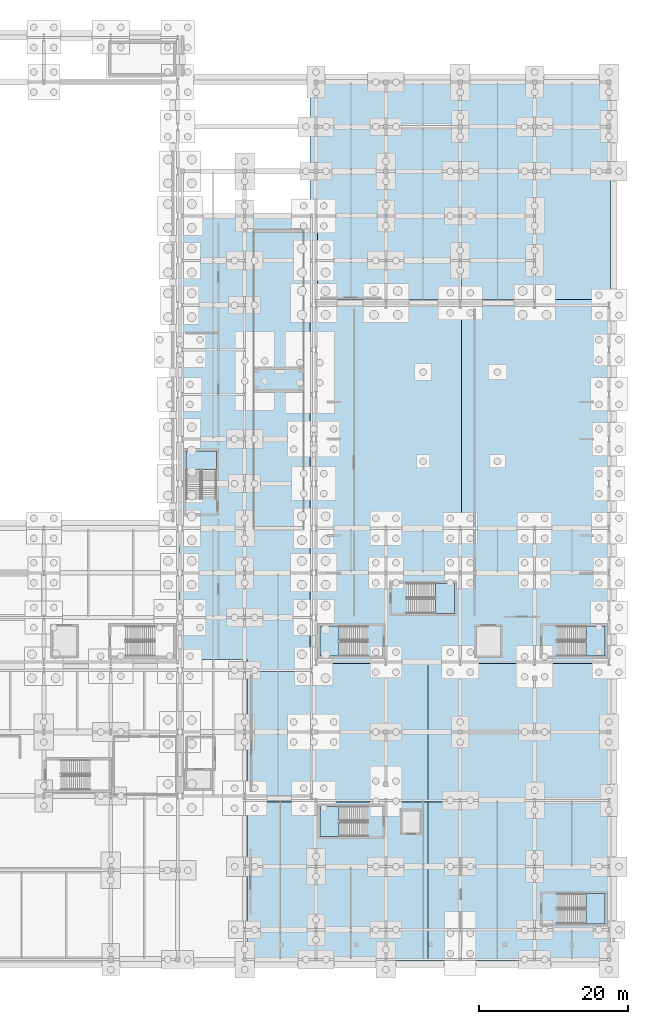
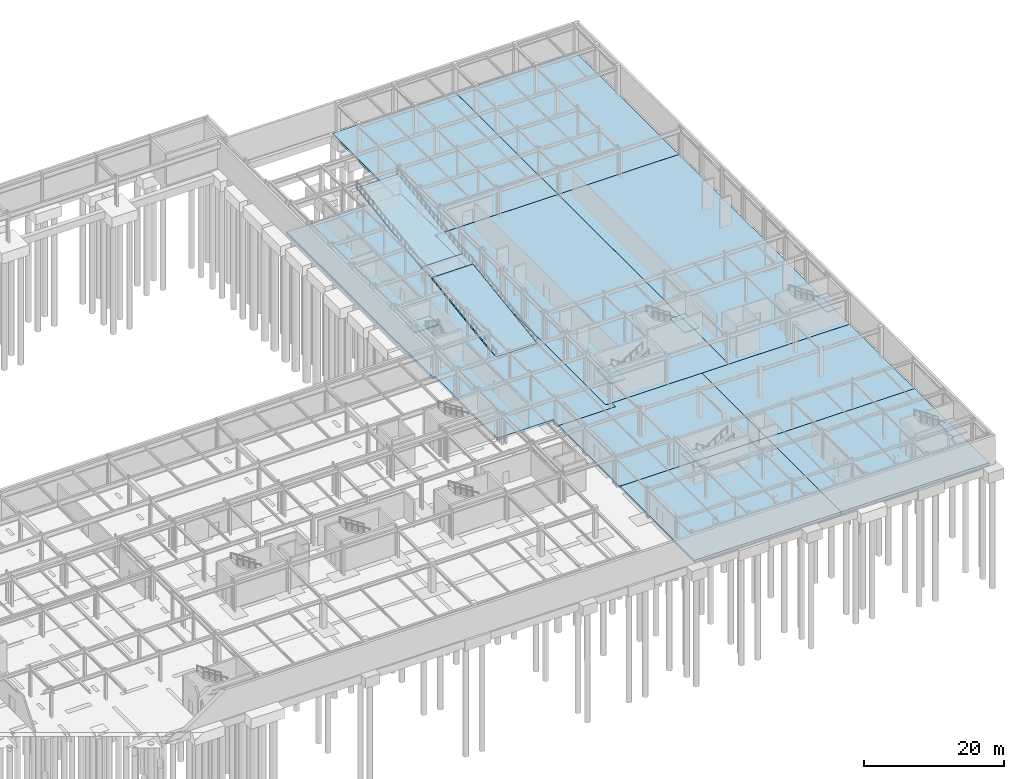
# One storey, part 40 of 65: 18 slabs, 6 elements without a shape of their own.
"""IFC4 building model written with IfcOpenShell, lengths in metres."""

import ifcopenshell
import ifcopenshell.guid

model = None  # the IFC model being written
_history = None  # IfcOwnerHistory: only IFC2X3 demands one
_inside = {}  # id of a spatial element -> (the spatial element, [elements in it])
_under = {}  # id of a project, library or spatial element -> (it, [spatial elements below it])
_declared = {}  # id of a project -> (the project, [libraries it declares])
_typed = {}  # id of a type object -> (the type object, [elements of that type])
_made_of = {}  # id of a material, layer set ... -> (it, [elements and type objects made of it])


def new_model(schema):
    """Start an empty IFC model of exactly this schema.

    Asked for "IFC4X3", IfcOpenShell would pick the latest addendum, in which some entities
    have other attributes; the version numbers below select the first issue.
    IFC2X3 requires an IfcOwnerHistory on every rooted entity: one is made here for all.
    """
    global model, _history
    if schema == "IFC4X3":
        model = ifcopenshell.file(schema_version=(4, 3, 0, 0))
    else:
        model = ifcopenshell.file(schema=schema)
    _inside.clear()
    _under.clear()
    _declared.clear()
    _typed.clear()
    _made_of.clear()
    _history = None
    if model.schema == "IFC2X3":
        org = make("IfcOrganization", Name="unknown")
        user = make(
            "IfcPersonAndOrganization",
            ThePerson=make("IfcPerson", FamilyName="unknown"),
            TheOrganization=org,
        )
        app = make(
            "IfcApplication",
            ApplicationDeveloper=org,
            Version="unknown",
            ApplicationFullName="unknown",
            ApplicationIdentifier="unknown",
        )
        _history = make(
            "IfcOwnerHistory",
            OwningUser=user,
            OwningApplication=app,
            ChangeAction="ADDED",
            CreationDate=0,
        )
    return model


def make(cls, **values):
    """One entity of the class cls with the attributes given. An attribute that is None is left unset."""
    return model.create_entity(
        cls, **{name: value for name, value in values.items() if value is not None}
    )


def rooted(cls, **values):
    """An entity with a GlobalId (a new one), such as an element, a storey or a relation."""
    return make(cls, GlobalId=ifcopenshell.guid.new(), OwnerHistory=_history, **values)


def si_unit(unit_type, name, prefix=None):
    """IfcSIUnit, for example si_unit("LENGTHUNIT", "METRE", prefix="MILLI")."""
    return make("IfcSIUnit", UnitType=unit_type, Prefix=prefix, Name=name)


def assignment(units):
    """IfcUnitAssignment: the units of a project."""
    return None if units is None else make("IfcUnitAssignment", Units=units)


def point(xyz):
    """IfcCartesianPoint."""
    return None if xyz is None else make("IfcCartesianPoint", Coordinates=xyz)


def direction(xyz):
    """IfcDirection."""
    return None if xyz is None else make("IfcDirection", DirectionRatios=xyz)


def frame(location, z_axis=None, x_axis=None):
    """IfcAxis2Placement3D, a coordinate frame: its origin and axes. An axis left out is left unset."""
    return make(
        "IfcAxis2Placement3D",
        Location=point(location),
        Axis=direction(z_axis),
        RefDirection=direction(x_axis),
    )


def origin():
    """The frame at (0, 0, 0) with its axes left unset."""
    return frame((0.0, 0.0, 0.0))


def place(relative_to, where):
    """IfcLocalPlacement: puts the frame where relative to a parent placement (None: the world)."""
    return make(
        "IfcLocalPlacement", PlacementRelTo=relative_to, RelativePlacement=where
    )


def context(
    kind, dimensions, precision=None, world=None, true_north=None, identifier=None
):
    """IfcGeometricRepresentationContext, for example the 3D "Model" context."""
    return make(
        "IfcGeometricRepresentationContext",
        ContextIdentifier=identifier,
        ContextType=kind,
        CoordinateSpaceDimension=dimensions,
        Precision=precision,
        WorldCoordinateSystem=world,
        TrueNorth=true_north,
    )


def subcontext(parent, identifier, kind, view, scale=None):
    """IfcGeometricRepresentationSubContext, for example "Body" below "Model"."""
    return make(
        "IfcGeometricRepresentationSubContext",
        ContextIdentifier=identifier,
        ContextType=kind,
        ParentContext=parent,
        TargetScale=scale,
        TargetView=view,
    )


def project(units=None, contexts=None):
    """IfcProject with its units and contexts."""
    return rooted(
        "IfcProject",
        Name="project",
        RepresentationContexts=contexts,
        UnitsInContext=assignment(units),
    )


def spatial(cls, under=None, at=None, **own):
    """A site, building, storey or space (cls), placed at a placement, below another one or the project."""
    s = rooted(cls, ObjectPlacement=at, **own)
    if under is not None:
        _under.setdefault(under.id(), (under, []))[1].append(s)
    return s


def polyline(points):
    """IfcPolyline through the points."""
    return make("IfcPolyline", Points=[point(p) for p in points])


def outline(outer, holes=None, kind="AREA"):
    """IfcArbitraryClosedProfileDef: a profile drawn as a closed curve; with holes, ...WithVoids."""
    if holes is None:
        return make("IfcArbitraryClosedProfileDef", ProfileType=kind, OuterCurve=outer)
    return make(
        "IfcArbitraryProfileDefWithVoids",
        ProfileType=kind,
        OuterCurve=outer,
        InnerCurves=holes,
    )


def extrude(swept, where, along, depth):
    """IfcExtrudedAreaSolid: the profile swept, set in the frame where, extruded along a direction by depth."""
    return make(
        "IfcExtrudedAreaSolid",
        SweptArea=swept,
        Position=where,
        ExtrudedDirection=direction(along),
        Depth=depth,
    )


def shape(context_of_items, identifier, shape_type, items):
    """IfcShapeRepresentation: the items that make up one representation, for example the "Body"."""
    return make(
        "IfcShapeRepresentation",
        ContextOfItems=context_of_items,
        RepresentationIdentifier=identifier,
        RepresentationType=shape_type,
        Items=items,
    )


def material(Name=None, Category=None):
    """IfcMaterial."""
    return make("IfcMaterial", Name=Name, Category=Category)


def layer(
    of_material, thickness, ventilated=None, Name=None, Category=None, Priority=None
):
    """IfcMaterialLayer: one layer of a wall or slab, of a material (None: an air gap)."""
    return make(
        "IfcMaterialLayer",
        Material=of_material,
        LayerThickness=thickness,
        IsVentilated=ventilated,
        Name=Name,
        Category=Category,
        Priority=Priority,
    )


def layer_set(layers, Name=None):
    """IfcMaterialLayerSet."""
    return make("IfcMaterialLayerSet", MaterialLayers=layers, LayerSetName=Name)


def made_of(thing, what):
    """Note that an element or type object is made of a material, layer set ...; save() writes the relation."""
    if what is not None:
        _made_of.setdefault(what.id(), (what, []))[1].append(thing)
    return thing


def type_object(cls, material=None, **own):
    """A type object (cls), such as IfcWallType, which elements share."""
    return made_of(rooted(cls, **own), material)


def element(
    cls,
    number,
    at=None,
    inside=None,
    cuts=None,
    type_object=None,
    material=None,
    context=None,
    identifier="Body",
    shape_type=None,
    held_by="IfcProductDefinitionShape",
    body=None,
    shapes=None,
    **own,
):
    """One element of the class cls, such as IfcWall. Its Tag is "e" and its number.

    at: its placement. inside: the storey or other place that contains it. cuts: it is an
    opening in that element (IfcRelVoidsElement). A single representation is given by context,
    identifier, shape_type and body (its items); several are given by shapes. held_by: the class
    of the entity that holds the representations. save() writes the other relations.
    """
    e = rooted(cls, Tag="e%d" % number, ObjectPlacement=at, **own)
    if body is not None:
        shapes = [shape(context, identifier, shape_type, body)]
    if shapes is not None:
        e.Representation = make(held_by, Representations=shapes)
    if inside is not None:
        _inside.setdefault(inside.id(), (inside, []))[1].append(e)
    if cuts is not None:
        rooted(
            "IfcRelVoidsElement", RelatingBuildingElement=cuts, RelatedOpeningElement=e
        )
    if type_object is not None:
        _typed.setdefault(type_object.id(), (type_object, []))[1].append(e)
    return made_of(e, material)


def aggregate(whole, parts):
    """IfcRelAggregates: a whole, such as a stair, and the parts it consists of."""
    return rooted("IfcRelAggregates", RelatingObject=whole, RelatedObjects=parts)


def save(model, path):
    """Write the relations noted so far, then the file.

    IfcRelAggregates (storeys below a building ...), IfcRelContainedInSpatialStructure (elements
    in a storey), IfcRelDefinesByType, IfcRelAssociatesMaterial and IfcRelDeclares: one each for
    every whole, place, type object, material and project.
    """
    for whole, parts in _under.values():
        aggregate(whole, parts)
    for where, things in _inside.values():
        rooted(
            "IfcRelContainedInSpatialStructure",
            RelatedElements=things,
            RelatingStructure=where,
        )
    for kind, things in _typed.values():
        rooted("IfcRelDefinesByType", RelatedObjects=things, RelatingType=kind)
    for what, things in _made_of.values():
        rooted("IfcRelAssociatesMaterial", RelatedObjects=things, RelatingMaterial=what)
    for by, libraries in _declared.values():
        rooted("IfcRelDeclares", RelatingContext=by, RelatedDefinitions=libraries)
    model.write(path)


model = new_model("IFC4")

# Units and contexts
model_context = context("Model", 3, precision=1e-05, world=origin(), true_north=direction((0.0, 1.0)))
body_context = subcontext(model_context, "Body", "Model", "MODEL_VIEW")
ifc_project = project(units=[si_unit("LENGTHUNIT", "METRE"), si_unit("AREAUNIT", "SQUARE_METRE"), si_unit("VOLUMEUNIT", "CUBIC_METRE"), si_unit("PLANEANGLEUNIT", "RADIAN"), si_unit("MASSUNIT", "GRAM", prefix="KILO")], contexts=[model_context])

# Site, building, storey
site_placement = place(None, origin())
site = spatial("IfcSite", under=ifc_project, at=site_placement, CompositionType="ELEMENT")
building_placement = place(site_placement, origin())
building = spatial("IfcBuilding", under=site, at=building_placement, Name="Kaldris Quays Convention Centre", CompositionType="ELEMENT")
storey_placement = place(building_placement, frame((0.0, 0.0, -5.39990234375)))
storey = spatial("IfcBuildingStorey", under=building, at=storey_placement, Name="B1", CompositionType="ELEMENT", Elevation=-5.39990234375)

# Stair, slab
ifc_material = material(Name="Concrete C35/45", Category="concrete")
stair_type = type_object("IfcStairType", Name="DOGLEG ESCAPE STAIR STF1", PredefinedType="TWO_STRAIGHT_RUN_STAIR", material=ifc_material)
stair_1_placement = place(storey_placement, origin())
stair_1 = element("IfcStair", 1, at=stair_1_placement, inside=storey, type_object=stair_type, Name="B1 Escape Stair ST08", PredefinedType="TWO_STRAIGHT_RUN_STAIR")
ifc_layer_1 = layer(ifc_material, 0.205078125)
ifc_layer_set_1 = layer_set([ifc_layer_1], Name="Concrete C35/45")
slab_type_1 = type_object("IfcSlabType", Name="STAIR LANDING SLAB LS01", PredefinedType="LANDING", material=ifc_layer_set_1)
slab_1_placement = place(storey_placement, frame((0.0, 0.0, 2.494873046875)))
slab_1 = element("IfcSlab", 2, at=slab_1_placement, type_object=slab_type_1, Name="STF1 landing 1", PredefinedType="LANDING", context=body_context, shape_type="SweptSolid", body=[
    extrude(outline(polyline([(167.679931640625, 60.85009765625), (165.14990234375, 60.85009765625), (165.14990234375, 56.800048828125), (167.679931640625, 56.800048828125), (167.679931640625, 60.85009765625)])), origin(), (0.0, 0.0, 1.0), 0.205078125),
])
aggregate(stair_1, [slab_1])

stair_2_placement = place(storey_placement, origin())
stair_2 = element("IfcStair", 3, at=stair_2_placement, inside=storey, type_object=stair_type, Name="B1 Escape Stair ST09", PredefinedType="TWO_STRAIGHT_RUN_STAIR")
slab_2_placement = place(storey_placement, frame((0.0, 0.0, 2.494873046875)))
slab_2 = element("IfcSlab", 4, at=slab_2_placement, type_object=slab_type_1, Name="STF1 landing 1", PredefinedType="LANDING", context=body_context, shape_type="SweptSolid", body=[
    extrude(outline(polyline([(200.919921875, 56.800048828125), (203.449951171875, 56.800048828125), (203.449951171875, 60.85009765625), (200.919921875, 60.85009765625), (200.919921875, 56.800048828125)])), origin(), (0.0, 0.0, 1.0), 0.205078125),
])
aggregate(stair_2, [slab_2])

stair_3_placement = place(storey_placement, origin())
stair_3 = element("IfcStair", 5, at=stair_3_placement, inside=storey, type_object=stair_type, Name="B1 Escape Stair ST10", PredefinedType="TWO_STRAIGHT_RUN_STAIR")
slab_3_placement = place(storey_placement, frame((0.0, 0.0, 2.494873046875)))
slab_3 = element("IfcSlab", 6, at=slab_3_placement, type_object=slab_type_1, Name="STF1 landing 1", PredefinedType="LANDING", context=body_context, shape_type="SweptSolid", body=[
    extrude(outline(polyline([(180.669921875, 62.550048828125), (183.199951171875, 62.550048828125), (183.199951171875, 66.60009765625), (180.669921875, 66.60009765625), (180.669921875, 62.550048828125)])), origin(), (0.0, 0.0, 1.0), 0.205078125),
])
aggregate(stair_3, [slab_3])

stair_4_placement = place(storey_placement, origin())
stair_4 = element("IfcStair", 7, at=stair_4_placement, inside=storey, type_object=stair_type, Name="B1 Escape Stair ST14", PredefinedType="TWO_STRAIGHT_RUN_STAIR")
slab_4_placement = place(storey_placement, frame((0.0, 0.0, 2.494873046875)))
slab_4 = element("IfcSlab", 8, at=slab_4_placement, type_object=slab_type_1, Name="STF1 landing 1", PredefinedType="LANDING", context=body_context, shape_type="SweptSolid", body=[
    extrude(outline(polyline([(151.199951171875, 81.8701171875), (151.199951171875, 84.39990234375), (147.14990234375, 84.39990234375), (147.14990234375, 81.8701171875), (151.199951171875, 81.8701171875)])), origin(), (0.0, 0.0, 1.0), 0.205078125),
])
aggregate(stair_4, [slab_4])

stair_5_placement = place(storey_placement, origin())
stair_5 = element("IfcStair", 9, at=stair_5_placement, inside=storey, type_object=stair_type, Name="B1 Escape Stair ST15", PredefinedType="TWO_STRAIGHT_RUN_STAIR")
slab_5_placement = place(storey_placement, frame((0.0, 0.0, 2.494873046875)))
slab_5 = element("IfcSlab", 10, at=slab_5_placement, type_object=slab_type_1, Name="STF1 landing 1", PredefinedType="LANDING", context=body_context, shape_type="SweptSolid", body=[
    extrude(outline(polyline([(167.679931640625, 36.60009765625), (165.14990234375, 36.60009765625), (165.14990234375, 32.550048828125), (167.679931640625, 32.550048828125), (167.679931640625, 36.60009765625)])), origin(), (0.0, 0.0, 1.0), 0.205078125),
])
aggregate(stair_5, [slab_5])

stair_6_placement = place(storey_placement, origin())
stair_6 = element("IfcStair", 11, at=stair_6_placement, inside=storey, type_object=stair_type, Name="B1 Escape Stair ST16", PredefinedType="TWO_STRAIGHT_RUN_STAIR")
slab_6_placement = place(storey_placement, frame((0.0, 0.0, 2.494873046875)))
slab_6 = element("IfcSlab", 12, at=slab_6_placement, type_object=slab_type_1, Name="STF1 landing 1", PredefinedType="LANDING", context=body_context, shape_type="SweptSolid", body=[
    extrude(outline(polyline([(200.919921875, 20.800048828125), (203.449951171875, 20.800048828125), (203.449951171875, 24.85009765625), (200.919921875, 24.85009765625), (200.919921875, 20.800048828125)])), origin(), (0.0, 0.0, 1.0), 0.205078125),
])
aggregate(stair_6, [slab_6])

# Slabs
ifc_layer_2 = layer(ifc_material, 0.22802734375)
ifc_layer_set_2 = layer_set([ifc_layer_2], Name="Concrete C35/45")
slab_type_2 = type_object("IfcSlabType", Name="STAIR LANDING SLAB LS02", PredefinedType="LANDING", material=ifc_layer_set_2)
slab_7_placement = place(storey_placement, frame((0.0, 0.0, 2.471923828125)))
element("IfcSlab", 13, at=slab_7_placement, inside=storey, type_object=slab_type_2, Name="Vehicle Ramp VR01 Intermediate Landing", PredefinedType="LANDING", context=body_context, shape_type="SweptSolid", body=[
    extrude(outline(polyline([(156.199951171875, 92.510009765625), (163.0, 92.510009765625), (163.0, 95.489990234375), (156.199951171875, 95.489990234375), (156.199951171875, 92.510009765625)])), origin(), (0.0, 0.0, 1.0), 0.22802734375),
])
ifc_layer_3 = layer(ifc_material, 0.43994140625)
ifc_layer_set_3 = layer_set([ifc_layer_3], Name="Concrete C35/45")
slab_type_3 = type_object("IfcSlabType", Name="STRUCTURAL SLAB BS01", PredefinedType="BASESLAB", material=ifc_layer_set_3)
slab_8_placement = place(storey_placement, frame((0.0, 0.0, -0.440185546875)))
element("IfcSlab", 14, at=slab_8_placement, inside=storey, type_object=slab_type_3, Name="B1 V4B1NE Base Slab A SLAB-B1-V4B1NE-A", PredefinedType="BASESLAB", context=body_context, shape_type="SweptSolid", body=[
    extrude(outline(polyline([(163.820068359375, 134.179931640625), (184.179931640625, 134.179931640625), (184.179931640625, 104.781982421875), (164.781982421875, 104.781982421875), (164.781982421875, 116.18017578125), (163.820068359375, 116.181884765625), (163.820068359375, 134.179931640625)])), origin(), (0.0, 0.0, 1.0), 0.440185546875),
])
slab_9_placement = place(storey_placement, frame((0.0, 0.0, -0.440185546875)))
element("IfcSlab", 15, at=slab_9_placement, inside=storey, type_object=slab_type_3, Name="B1 V4B1NE Base Slab B SLAB-B1-V4B1NE-B", PredefinedType="BASESLAB", context=body_context, shape_type="SweptSolid", body=[
    extrude(outline(polyline([(204.179931640625, 134.179931640625), (204.179931640625, 104.781982421875), (184.181884765625, 104.781982421875), (184.181884765625, 134.179931640625), (204.179931640625, 134.179931640625)])), origin(), (0.0, 0.0, 1.0), 0.440185546875),
])
ifc_layer_4 = layer(ifc_material, 0.4150390625)
ifc_layer_set_4 = layer_set([ifc_layer_4], Name="Concrete C35/45")
slab_type_4 = type_object("IfcSlabType", Name="STRUCTURAL SLAB BS02", PredefinedType="BASESLAB", material=ifc_layer_set_4)
slab_10_placement = place(storey_placement, frame((0.0, 0.0, -0.4150390625)))
element("IfcSlab", 16, at=slab_10_placement, inside=storey, type_object=slab_type_4, Name="B1 V2B1 Base Slab A SLAB-B1-V2B1-A", PredefinedType="BASESLAB", context=body_context, shape_type="SweptSolid", body=[
    extrude(outline(polyline([(163.820068359375, 55.820068359375), (163.820068359375, 104.780029296875), (184.179931640625, 104.780029296875), (184.179931640625, 55.820068359375), (163.820068359375, 55.820068359375)])), origin(), (0.0, 0.0, 1.0), 0.4150390625),
])
slab_11_placement = place(storey_placement, frame((0.0, 0.0, -0.4150390625)))
element("IfcSlab", 17, at=slab_11_placement, inside=storey, type_object=slab_type_4, Name="B1 V2B1 Base Slab B SLAB-B1-V2B1-B", PredefinedType="BASESLAB", context=body_context, shape_type="SweptSolid", body=[
    extrude(outline(polyline([(204.179931640625, 104.780029296875), (204.179931640625, 55.820068359375), (184.181884765625, 55.820068359375), (184.181884765625, 104.780029296875), (204.179931640625, 104.780029296875)])), origin(), (0.0, 0.0, 1.0), 0.4150390625),
])
slab_12_placement = place(storey_placement, frame((0.0, 0.0, -0.4150390625)))
element("IfcSlab", 18, at=slab_12_placement, inside=storey, type_object=slab_type_4, Name="B1 V4B1E Base Slab SLAB-B1-V4B1E", PredefinedType="BASESLAB", context=body_context, shape_type="SweptSolid", body=[
    extrude(outline(polyline([(164.780029296875, 54.719970703125), (155.382080078125, 54.719970703125), (155.38037109375, 56.382080078125), (146.181884765625, 56.382080078125), (146.181884765625, 74.179931640625), (145.820068359375, 74.181884765625), (145.820068359375, 116.179931640625), (164.780029296875, 116.179931640625), (164.780029296875, 104.781982421875), (163.818115234375, 104.780029296875), (163.818115234375, 55.820068359375), (164.780029296875, 55.818115234375), (164.780029296875, 54.719970703125)])), origin(), (0.0, 0.0, 1.0), 0.4150390625),
])
slab_13_placement = place(storey_placement, frame((0.0, 0.0, -0.4150390625)))
element("IfcSlab", 19, at=slab_13_placement, inside=storey, type_object=slab_type_4, Name="B1 V4B1EC Base Slab A SLAB-B1-V4B1EC-A", PredefinedType="BASESLAB", context=body_context, shape_type="SweptSolid", body=[
    extrude(outline(polyline([(179.679931640625, 37.219970703125), (155.382080078125, 37.219970703125), (155.382080078125, 54.718017578125), (164.7802734375, 54.718017578125), (164.781982421875, 55.818115234375), (179.679931640625, 55.818115234375), (179.679931640625, 37.219970703125)])), origin(), (0.0, 0.0, 1.0), 0.4150390625),
])
slab_14_placement = place(storey_placement, frame((0.0, 0.0, -0.4150390625)))
element("IfcSlab", 20, at=slab_14_placement, inside=storey, type_object=slab_type_4, Name="B1 V4B1EC Base Slab B SLAB-B1-V4B1EC-B", PredefinedType="BASESLAB", context=body_context, shape_type="SweptSolid", body=[
    extrude(outline(polyline([(204.179931640625, 37.219970703125), (179.681884765625, 37.219970703125), (179.681884765625, 55.818115234375), (204.179931640625, 55.818115234375), (204.179931640625, 37.219970703125)])), origin(), (0.0, 0.0, 1.0), 0.4150390625),
])
slab_15_placement = place(storey_placement, frame((0.0, 0.0, -0.4150390625)))
element("IfcSlab", 21, at=slab_15_placement, inside=storey, type_object=slab_type_4, Name="B1 V5B1 Base Slab A SLAB-B1-V5B1-A", PredefinedType="BASESLAB", context=body_context, shape_type="SweptSolid", body=[
    extrude(outline(polyline([(179.679931640625, 15.820068359375), (155.382080078125, 15.820068359375), (155.382080078125, 37.218017578125), (179.679931640625, 37.218017578125), (179.679931640625, 15.820068359375)])), origin(), (0.0, 0.0, 1.0), 0.4150390625),
])
slab_16_placement = place(storey_placement, frame((0.0, 0.0, -0.4150390625)))
element("IfcSlab", 22, at=slab_16_placement, inside=storey, type_object=slab_type_4, Name="B1 V5B1 Base Slab B SLAB-B1-V5B1-B", PredefinedType="BASESLAB", context=body_context, shape_type="SweptSolid", body=[
    extrude(outline(polyline([(204.179931640625, 15.820068359375), (179.681884765625, 15.820068359375), (179.681884765625, 37.218017578125), (204.179931640625, 37.218017578125), (204.179931640625, 15.820068359375)])), origin(), (0.0, 0.0, 1.0), 0.4150390625),
])
ifc_layer_5 = layer(ifc_material, 0.294921875)
ifc_layer_set_5 = layer_set([ifc_layer_5], Name="Concrete C35/45")
slab_type_5 = type_object("IfcSlabType", Name="STRUCTURAL SLAB FS04", PredefinedType="FLOOR", material=ifc_layer_set_5)
for number, where, z_axis, x_axis, name in (
    (23, (156.199951171875, 74.0, 0.0), (0.0, -0.144413446559, 0.989517436154), (1.0, 0.0, 0.0), "Vehicle Ramp VR01 Lower Structural Slab"),
    (24, (156.199951171875, 95.5, 2.699951171875), (0.0, -0.144413446559, 0.989517436154), (1.0, 0.0, 0.0), "Vehicle Ramp VR01 Upper Structural Slab"),
):
    element("IfcSlab", number, at=place(storey_placement, frame(where, z_axis=z_axis, x_axis=x_axis)), inside=storey, type_object=slab_type_5, Name=name, PredefinedType="FLOOR", context=body_context, shape_type="SweptSolid", body=[
        extrude(outline(polyline([(0.0, 0.0), (6.800048828125, 0.0), (6.800048828125, 18.695981823122025), (0.0, 18.695981823122025), (0.0, 0.0)])), origin(), (0.0, 0.0, -1.0), 0.294921875),
    ])

save(model, "model.ifc")
